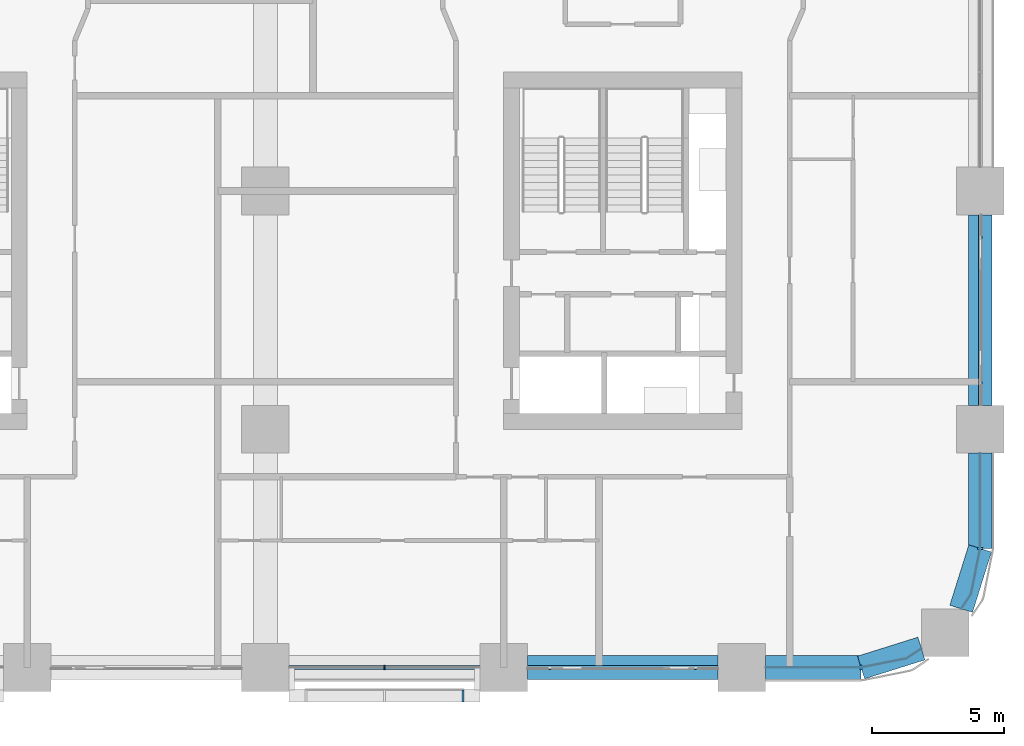
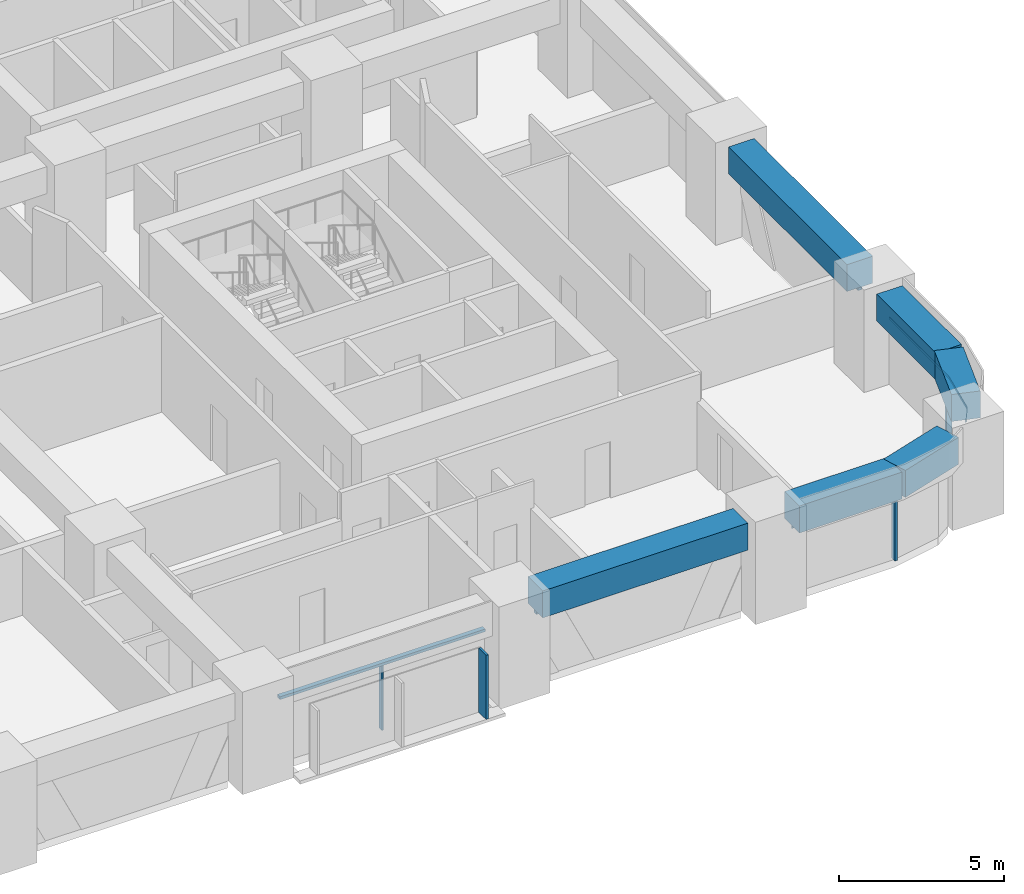
# One storey, part 4 of 23: 9 members, 6 beams, 5 elements without a shape of their own.
"""IFC4 building model written with IfcOpenShell, lengths in metres."""

from ifc_helpers import new_model, si_unit, direction, frame, origin, origin_2d, place, context, subcontext, project, spatial, polyline, rectangle, outline, extrude, material, material_profile, profile_set, type_object, element, aggregate, save


model = new_model("IFC4")

# Units and contexts
model_context = context("Model", 3, precision=1e-05, world=origin(), true_north=direction((0.0, 1.0)))
body_context = subcontext(model_context, "Body", "Model", "MODEL_VIEW")
ifc_project = project(units=[si_unit("LENGTHUNIT", "METRE"), si_unit("AREAUNIT", "SQUARE_METRE"), si_unit("VOLUMEUNIT", "CUBIC_METRE"), si_unit("PLANEANGLEUNIT", "RADIAN"), si_unit("MASSUNIT", "GRAM", prefix="KILO")], contexts=[model_context])

# Site, building, storey
site_placement = place(None, origin())
site = spatial("IfcSite", under=ifc_project, at=site_placement, CompositionType="ELEMENT")
building_placement = place(site_placement, origin())
building = spatial("IfcBuilding", under=site, at=building_placement, Name="Tessera Arch", CompositionType="ELEMENT")
storey_placement = place(building_placement, frame((0.0, 0.0, 57.60009765625)))
storey = spatial("IfcBuildingStorey", under=building, at=storey_placement, Name="L12", CompositionType="ELEMENT", Elevation=57.60009765625)

# Curtain wall, members
ifc_material_1 = material(Name="CW1 curtain wall")
curtain_wall_type_1 = type_object("IfcCurtainWallType", Name="CW1 curtain wall", PredefinedType="NOTDEFINED", material=ifc_material_1)
curtain_wall_1_placement = place(storey_placement, origin())
curtain_wall_1 = element("IfcCurtainWall", 1, at=curtain_wall_1_placement, inside=storey, type_object=curtain_wall_type_1, Name="CW1 curtain wall S0.0/2 L12", PredefinedType="NOTDEFINED")
ifc_material_2 = material(Name="Anodised aluminium pale metal", Category="aluminium")
ifc_material_profile_1 = material_profile(ifc_material_2, rectangle(XDim=0.159912109375, YDim=0.06005859375, at=origin_2d()), Name="AL 60x160")
ifc_profile_set_1 = profile_set([ifc_material_profile_1], Name="Anodised aluminium pale metal")
member_type_1 = type_object("IfcMemberType", Name="CW1 mullion", PredefinedType="MULLION", material=ifc_profile_set_1)
member_1_placement = place(storey_placement, frame((31.5, 0.0, 0.0), z_axis=(0.0, 0.0, 1.0), x_axis=(0.0, 1.0, 0.0)))
member_1 = element("IfcMember", 2, at=member_1_placement, type_object=member_type_1, Name="CW1 mullion S0.0/2 1", PredefinedType="MULLION", context=body_context, shape_type="SweptSolid", body=[
    extrude(rectangle(XDim=0.159912109375, YDim=0.06005859375, at=origin_2d()), origin(), (0.0, 0.0, 1.0), 2.39990234375),
])
ifc_material_3 = material(Name="Anodised aluminium pale metal", Category="aluminium")
ifc_material_profile_2 = material_profile(ifc_material_3, rectangle(XDim=0.159912109375, YDim=0.10009765625, at=origin_2d()), Name="AL 160x100")
ifc_profile_set_2 = profile_set([ifc_material_profile_2], Name="Anodised aluminium pale metal")
member_type_2 = type_object("IfcMemberType", Name="CW1 transom", PredefinedType="USERDEFINED", material=ifc_profile_set_2)
member_2_placement = place(storey_placement, frame((27.89990234375, 0.0, 2.449951171875), z_axis=(1.0, 0.0, 0.0), x_axis=(0.0, 1.0, 0.0)))
member_2 = element("IfcMember", 3, at=member_2_placement, type_object=member_type_2, Name="CW1 transom S0.0/2 1.1", ObjectType="TRANSOM", PredefinedType="USERDEFINED", context=body_context, shape_type="SweptSolid", body=[
    extrude(rectangle(XDim=0.159912109375, YDim=0.10009765625, at=origin_2d()), origin(), (0.0, 0.0, 1.0), 7.2001953125),
])
aggregate(curtain_wall_1, [member_1, member_2])

# Curtain wall, member
ifc_material_4 = material(Name="CW2 curtain wall")
curtain_wall_type_2 = type_object("IfcCurtainWallType", Name="CW2 curtain wall", PredefinedType="NOTDEFINED", material=ifc_material_4)
curtain_wall_2_placement = place(storey_placement, origin())
curtain_wall_2 = element("IfcCurtainWall", 4, at=curtain_wall_2_placement, inside=storey, type_object=curtain_wall_type_2, Name="CW2 curtain wall S0.0/4 L12", PredefinedType="NOTDEFINED")
ifc_material_5 = material(Name="Anodised aluminium pale metal", Category="aluminium")
ifc_material_profile_3 = material_profile(ifc_material_5, rectangle(XDim=0.199951171875, YDim=0.080078125, at=origin_2d()), Name="AL 80x200")
ifc_profile_set_3 = profile_set([ifc_material_profile_3], Name="Anodised aluminium pale metal")
member_type_3 = type_object("IfcMemberType", Name="CW2 mullion", PredefinedType="MULLION", material=ifc_profile_set_3)
member_3_placement = place(storey_placement, frame((49.5, 0.0, 0.0), z_axis=(0.0, 0.0, 1.0), x_axis=(0.0, 1.0, 0.0)))
member_3 = element("IfcMember", 5, at=member_3_placement, type_object=member_type_3, Name="CW2 mullion S0.0/4 1", PredefinedType="MULLION", context=body_context, shape_type="SweptSolid", body=[
    extrude(rectangle(XDim=0.199951171875, YDim=0.080078125, at=origin_2d()), origin(), (0.0, 0.0, 1.0), 2.39990234375),
])

curtain_wall_3_placement = place(storey_placement, origin())
curtain_wall_3 = element("IfcCurtainWall", 6, at=curtain_wall_3_placement, inside=storey, type_object=curtain_wall_type_2, Name="CW2 curtain wall E54.0/0 L12", PredefinedType="NOTDEFINED")
member_4_placement = place(storey_placement, frame((54.0, 4.5, 0.0), z_axis=(0.0, 0.0, 1.0), x_axis=(-1.0, 0.0, 0.0)))
member_4 = element("IfcMember", 7, at=member_4_placement, type_object=member_type_3, Name="CW2 mullion E54.0/0 1", PredefinedType="MULLION", context=body_context, shape_type="SweptSolid", body=[
    extrude(rectangle(XDim=0.199951171875, YDim=0.080078125, at=origin_2d()), origin(), (0.0, 0.0, 1.0), 2.39990234375),
])

# Member
ifc_material_6 = material(Name="Anodised aluminium pale metal", Category="aluminium")
ifc_material_profile_4 = material_profile(ifc_material_6, rectangle(XDim=0.199951171875, YDim=0.10009765625, at=origin_2d()), Name="AL 200x100")
ifc_profile_set_4 = profile_set([ifc_material_profile_4], Name="Anodised aluminium pale metal")
member_type_4 = type_object("IfcMemberType", Name="CW2 transom", PredefinedType="USERDEFINED", material=ifc_profile_set_4)
member_5_placement = place(storey_placement, frame((0.0, 0.0, 2.39990234375)))
member_5 = element("IfcMember", 8, at=member_5_placement, type_object=member_type_4, Name="CW2 transom S0.0/4 1", ObjectType="TRANSOM", PredefinedType="USERDEFINED", context=body_context, shape_type="SweptSolid", body=[
    extrude(outline(polyline([(49.4990234375, 0.010009765625), (45.89990234375, 0.010009765625), (45.89990234375, -0.010009765625), (49.5009765625, -0.010009765625), (51.22607421875, 0.3330078125), (51.78759765625, 0.70849609375), (51.7763671875, 0.72509765625), (51.21826171875, 0.351806640625), (49.4990234375, 0.010009765625)])), origin(), (0.0, 0.0, 1.0), 0.10009765625),
])

aggregate(curtain_wall_2, [member_3, member_5])

member_6_placement = place(storey_placement, frame((0.0, 0.0, 2.39990234375)))
member_6 = element("IfcMember", 9, at=member_6_placement, type_object=member_type_4, Name="CW2 transom E54.0/0 1", ObjectType="TRANSOM", PredefinedType="USERDEFINED", context=body_context, shape_type="SweptSolid", body=[
    extrude(outline(polyline([(53.648193359375, 2.78173828125), (53.27490234375, 2.2236328125), (53.29150390625, 2.21240234375), (53.6669921875, 2.77392578125), (54.010009765625, 4.4990234375), (54.010009765625, 8.10009765625), (53.989990234375, 8.10009765625), (53.989990234375, 4.5009765625), (53.648193359375, 2.78173828125)])), origin(), (0.0, 0.0, 1.0), 0.10009765625),
])

aggregate(curtain_wall_3, [member_4, member_6])

# Curtain wall, member
ifc_material_7 = material(Name="CW3 curtain wall")
curtain_wall_type_3 = type_object("IfcCurtainWallType", Name="CW3 curtain wall", PredefinedType="NOTDEFINED", material=ifc_material_7)
curtain_wall_4_placement = place(storey_placement, origin())
curtain_wall_4 = element("IfcCurtainWall", 10, at=curtain_wall_4_placement, inside=storey, type_object=curtain_wall_type_3, Name="CW3 curtain wall S0.0/3 L12", PredefinedType="NOTDEFINED")
ifc_material_8 = material(Name="Anodised aluminium pale metal", Category="aluminium")
ifc_material_profile_5 = material_profile(ifc_material_8, rectangle(XDim=0.139892578125, YDim=0.10009765625, at=origin_2d()), Name="AL 140x100")
ifc_profile_set_5 = profile_set([ifc_material_profile_5], Name="Anodised aluminium pale metal")
member_type_5 = type_object("IfcMemberType", Name="CW3 transom", PredefinedType="USERDEFINED", material=ifc_profile_set_5)
member_7_placement = place(storey_placement, frame((36.89990234375, 0.0, 2.449951171875), z_axis=(1.0, 0.0, 0.0), x_axis=(0.0, 1.0, 0.0)))
member_7 = element("IfcMember", 11, at=member_7_placement, type_object=member_type_5, Name="CW3 transom S0.0/3 1.1", ObjectType="TRANSOM", PredefinedType="USERDEFINED", context=body_context, shape_type="SweptSolid", body=[
    extrude(rectangle(XDim=0.139892578125, YDim=0.10009765625, at=origin_2d()), origin(), (0.0, 0.0, 1.0), 7.2001953125),
])
aggregate(curtain_wall_4, [member_7])

curtain_wall_5_placement = place(storey_placement, origin())
curtain_wall_5 = element("IfcCurtainWall", 12, at=curtain_wall_5_placement, inside=storey, type_object=curtain_wall_type_3, Name="CW3 curtain wall E54.0/1 L12", PredefinedType="NOTDEFINED")
member_8_placement = place(storey_placement, frame((54.0, 9.89990234375, 2.449951171875), z_axis=(0.0, 1.0, 0.0), x_axis=(-1.0, 0.0, 0.0)))
member_8 = element("IfcMember", 13, at=member_8_placement, type_object=member_type_5, Name="CW3 transom E54.0/1 1.1", ObjectType="TRANSOM", PredefinedType="USERDEFINED", context=body_context, shape_type="SweptSolid", body=[
    extrude(rectangle(XDim=0.139892578125, YDim=0.10009765625, at=origin_2d()), origin(), (0.0, 0.0, 1.0), 7.2001953125),
])
aggregate(curtain_wall_5, [member_8])

# Member
ifc_material_9 = material(Name="Anodised aluminium pale metal", Category="aluminium")
ifc_material_profile_6 = material_profile(ifc_material_9, rectangle(XDim=0.449951171875, YDim=0.080078125, at=origin_2d()), Name="AL 80x450")
ifc_profile_set_6 = profile_set([ifc_material_profile_6], Name="Anodised aluminium pale metal")
member_type_6 = type_object("IfcMemberType", Name="Mashrabiya fin", PredefinedType="USERDEFINED", material=ifc_profile_set_6)
member_9_placement = place(storey_placement, frame((34.4599609375, -1.074951171875, 0.119873046875), z_axis=(0.0, 0.0, 1.0), x_axis=(0.0, -1.0, 0.0)))
element("IfcMember", 14, at=member_9_placement, inside=storey, type_object=member_type_6, Name="FIN mashrabiya S0.0/2 3", ObjectType="FIN", PredefinedType="USERDEFINED", context=body_context, shape_type="SweptSolid", body=[
    extrude(rectangle(XDim=0.449951171875, YDim=0.080078125, at=origin_2d()), origin(), (0.0, 0.0, 1.0), 2.380126953125),
])

# Beams
ifc_material_10 = material(Name="Concrete C80/95", Category="concrete")
ifc_material_profile_7 = material_profile(ifc_material_10, rectangle(XDim=0.89990234375, YDim=1.0, at=origin_2d()), Name="RC spandrel beam 900 x 1000 Concrete C80/95")
ifc_profile_set_7 = profile_set([ifc_material_profile_7], Name="Concrete C80/95")
beam_type = type_object("IfcBeamType", Name="RC spandrel beam 900 x 1000 Concrete C80/95", PredefinedType="BEAM", material=ifc_profile_set_7)
beam_1_placement = place(storey_placement, frame((36.89990234375, 0.0, 3.0), z_axis=(1.0, 0.0, 0.0), x_axis=(0.0, 1.0, 0.0)))
element("IfcBeam", 15, at=beam_1_placement, inside=storey, type_object=beam_type, Name="Spandrel beam L12 S0.0/3", PredefinedType="BEAM", context=body_context, shape_type="SweptSolid", body=[
    extrude(rectangle(XDim=0.89990234375, YDim=1.0, at=origin_2d()), origin(), (0.0, 0.0, 1.0), 7.2001953125),
])
beam_2_placement = place(storey_placement, frame((45.89990234375, 0.0, 3.0), z_axis=(1.0, 0.0, 0.0), x_axis=(0.0, 1.0, 0.0)))
element("IfcBeam", 16, at=beam_2_placement, inside=storey, type_object=beam_type, Name="Spandrel beam L12 S0.0/4.1", PredefinedType="BEAM", context=body_context, shape_type="SweptSolid", body=[
    extrude(rectangle(XDim=0.89990234375, YDim=1.0, at=origin_2d()), origin(), (0.0, 0.0, 1.0), 3.60009765625),
])
for number, where, z_axis, x_axis, name in (
    (17, (49.5, 0.0, 3.0), (0.954041251279, 0.299675309057, 0.0), (-0.299675309057, 0.954041251279, 0.0), "Spandrel beam L12 S0.0/4.2"),
    (18, (53.283203125, 2.218017578125, 3.0), (0.299675309057, 0.954041251279, 0.0), (-0.954041251279, 0.299675309057, 0.0), "Spandrel beam L12 E54.0/0.1"),
):
    element("IfcBeam", number, at=place(storey_placement, frame(where, z_axis=z_axis, x_axis=x_axis)), inside=storey, type_object=beam_type, Name=name, PredefinedType="BEAM", context=body_context, shape_type="SweptSolid", body=[
        extrude(rectangle(XDim=0.89990234375, YDim=1.0, at=origin_2d()), origin(), (0.0, 0.0, 1.0), 2.391845703125),
    ])
beam_3_placement = place(storey_placement, frame((54.0, 4.5, 3.0), z_axis=(0.0, 1.0, 0.0), x_axis=(-1.0, 0.0, 0.0)))
element("IfcBeam", 19, at=beam_3_placement, inside=storey, type_object=beam_type, Name="Spandrel beam L12 E54.0/0.2", PredefinedType="BEAM", context=body_context, shape_type="SweptSolid", body=[
    extrude(rectangle(XDim=0.89990234375, YDim=1.0, at=origin_2d()), origin(), (0.0, 0.0, 1.0), 3.60009765625),
])
beam_4_placement = place(storey_placement, frame((54.0, 9.89990234375, 3.0), z_axis=(0.0, 1.0, 0.0), x_axis=(-1.0, 0.0, 0.0)))
element("IfcBeam", 20, at=beam_4_placement, inside=storey, type_object=beam_type, Name="Spandrel beam L12 E54.0/1", PredefinedType="BEAM", context=body_context, shape_type="SweptSolid", body=[
    extrude(rectangle(XDim=0.89990234375, YDim=1.0, at=origin_2d()), origin(), (0.0, 0.0, 1.0), 7.2001953125),
])

save(model, "model.ifc")
